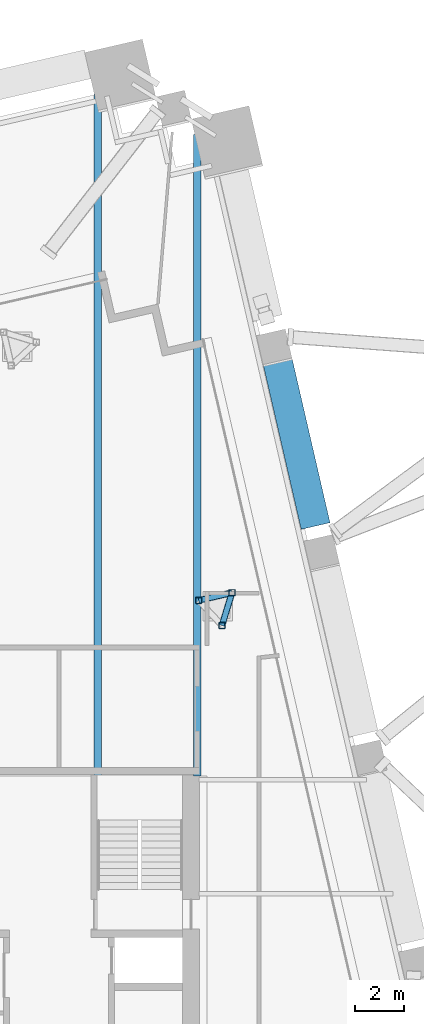
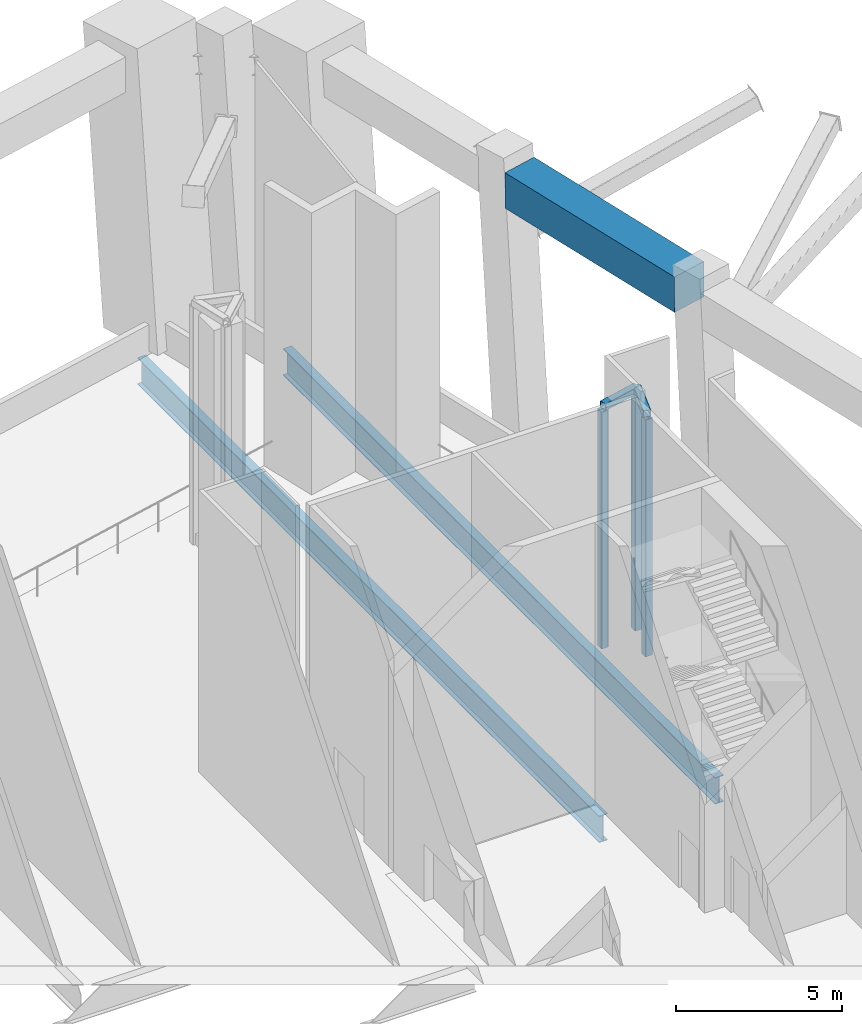
# One storey, part 11 of 25: 5 members, 3 beams.
"""IFC4 building model written with IfcOpenShell, lengths in metres."""

from ifc_helpers import new_model, si_unit, direction, frame, origin, origin_2d, place, context, subcontext, project, spatial, rectangle, hollow_rectangle, i_section, extrude, material, material_profile, profile_set, type_object, element, save


model = new_model("IFC4")

# Units and contexts
model_context = context("Model", 3, precision=1e-05, world=origin(), true_north=direction((0.0, 1.0)))
body_context = subcontext(model_context, "Body", "Model", "MODEL_VIEW")
ifc_project = project(units=[si_unit("LENGTHUNIT", "METRE"), si_unit("AREAUNIT", "SQUARE_METRE"), si_unit("VOLUMEUNIT", "CUBIC_METRE"), si_unit("PLANEANGLEUNIT", "RADIAN"), si_unit("MASSUNIT", "GRAM", prefix="KILO")], contexts=[model_context])

# Site, building, storey
site_placement = place(None, origin())
site = spatial("IfcSite", under=ifc_project, at=site_placement, CompositionType="ELEMENT")
building_placement = place(site_placement, origin())
building = spatial("IfcBuilding", under=site, at=building_placement, Name="Ogive Exchange Tower", CompositionType="ELEMENT")
storey_placement = place(building_placement, frame((0.0, 0.0, 226.199951171875)))
storey = spatial("IfcBuildingStorey", under=building, at=storey_placement, Name="L50", CompositionType="ELEMENT", Elevation=226.199951171875)

# Beams
ifc_material_1 = material(Name="Steel ASTM A992 Gr50", Category="steel")
ifc_material_profile_1 = material_profile(ifc_material_1, i_section(OverallWidth=0.300048828125, OverallDepth=0.97998046875, WebThickness=0.0166015625, FlangeThickness=0.026123046875, at=origin_2d()), Name="W1000x249")
ifc_profile_set_1 = profile_set([ifc_material_profile_1], Name="Steel ASTM A992 Gr50")
beam_type_1 = type_object("IfcBeamType", Name="Floor beam W1000x249", PredefinedType="JOIST", material=ifc_profile_set_1)
beam_1_placement = place(storey_placement, frame((17.568359375, 25.39990234375, -0.93994140625), z_axis=(0.0, 1.0, 0.0), x_axis=(-1.0, 0.0, 0.0)))
element("IfcBeam", 1, at=beam_1_placement, inside=storey, type_object=beam_type_1, Name="Floor beam", PredefinedType="JOIST", context=body_context, shape_type="SweptSolid", body=[
    extrude(i_section(OverallWidth=0.300048828125, OverallDepth=0.97998046875, WebThickness=0.0166015625, FlangeThickness=0.026123046875, at=origin_2d()), origin(), (0.0, 0.0, 1.0), 27.783447265625),
])
beam_2_placement = place(storey_placement, frame((21.60009765625, 25.39990234375, -0.93994140625), z_axis=(0.0, 1.0, 0.0), x_axis=(-1.0, 0.0, 0.0)))
element("IfcBeam", 2, at=beam_2_placement, inside=storey, type_object=beam_type_1, Name="Floor beam", PredefinedType="JOIST", context=body_context, shape_type="SweptSolid", body=[
    extrude(i_section(OverallWidth=0.300048828125, OverallDepth=0.97998046875, WebThickness=0.0166015625, FlangeThickness=0.026123046875, at=origin_2d()), origin(), (0.0, 0.0, 1.0), 25.995849609375),
])
ifc_material_2 = material(Name="Precast concrete C70/85 (limestone faced)", Category="masonry")
ifc_material_profile_2 = material_profile(ifc_material_2, rectangle(XDim=1.199951171875, YDim=1.300048828125, at=origin_2d()), Name="1200 x 1300")
ifc_profile_set_2 = profile_set([ifc_material_profile_2], Name="Precast concrete C70/85 (limestone faced)")
beam_type_2 = type_object("IfcBeamType", Name="Precast portal header beam 1200 x 1300 C70/85", PredefinedType="BEAM", material=ifc_profile_set_2)
beam_3_placement = place(storey_placement, frame((26.396484375, 35.52783203125, 9.699951171875), z_axis=(-0.224964337054, 0.974366998135, 0.0), x_axis=(-0.974366998135, -0.224964337054, 0.0)))
element("IfcBeam", 3, at=beam_3_placement, inside=storey, type_object=beam_type_2, Name="Slot header beam 14", PredefinedType="BEAM", context=body_context, shape_type="SweptSolid", body=[
    extrude(rectangle(XDim=1.199951171875, YDim=1.300048828125, at=origin_2d()), origin(), (0.0, 0.0, 1.0), 7.48388671875),
])

# Members
ifc_material_3 = material(Name="Steel ASTM A1085 Gr A", Category="steel")
ifc_material_profile_3 = material_profile(ifc_material_3, hollow_rectangle(XDim=0.25390625, YDim=0.25390625, WallThickness=0.0126953125, InnerFilletRadius=0.0126953125, OuterFilletRadius=0.025390625, at=origin_2d()), Name="HSS254x254x12.7")
ifc_profile_set_3 = profile_set([ifc_material_profile_3], Name="Steel ASTM A1085 Gr A")
member_type_1 = type_object("IfcMemberType", Name="Turbine cage mast HSS254x254x12.7", PredefinedType="POST", material=ifc_profile_set_3)
for number, where, z_axis, x_axis, name in (
    (4, (21.66015625, 32.513916015625, 0.0), (0.0, 0.0, 1.0), (1.0, 0.0, 0.0), "Turbine cage mast 05.1"),
    (5, (22.605224609375, 31.50048828125, 0.0), (0.0, 0.0, 1.0), (1.0, 0.0, 0.0), "Turbine cage mast 05.2"),
    (6, (23.01025390625, 32.82568359375, 0.0), (0.0, 0.0, 1.0), (1.0, 0.0, 0.0), "Turbine cage mast 05.3"),
):
    element("IfcMember", number, at=place(storey_placement, frame(where, z_axis=z_axis, x_axis=x_axis)), inside=storey, type_object=member_type_1, Name=name, PredefinedType="POST", context=body_context, shape_type="SweptSolid", body=[
        extrude(hollow_rectangle(XDim=0.25390625, YDim=0.25390625, WallThickness=0.0126953125, InnerFilletRadius=0.0126953125, OuterFilletRadius=0.025390625, at=origin_2d()), origin(), (0.0, 0.0, 1.0), 8.696044921875),
    ])
ifc_material_profile_4 = material_profile(ifc_material_3, hollow_rectangle(XDim=0.25390625, YDim=0.25390625, WallThickness=0.0126953125, InnerFilletRadius=0.0126953125, OuterFilletRadius=0.025390625, at=origin_2d()), Name="HSS254x254x12.7")
ifc_profile_set_4 = profile_set([ifc_material_profile_4], Name="Steel ASTM A1085 Gr A")
member_type_2 = type_object("IfcMemberType", Name="Turbine cage ring member HSS254x254x12.7", PredefinedType="BRACE", material=ifc_profile_set_4)
for number, where, z_axis, x_axis, name in (
    (7, (22.605224609375, 31.50048828125, 8.822998046875), (0.29229015249, 0.956329685181, 0.0), (-0.956329685181, 0.29229015249, 0.0), "Turbine cage ring 05.2"),
    (8, (23.01025390625, 32.82568359375, 8.822998046875), (-0.974358520042, -0.225001054267, 0.0), (0.225001054267, -0.974358520042, 0.0), "Turbine cage ring 05.3"),
):
    element("IfcMember", number, at=place(storey_placement, frame(where, z_axis=z_axis, x_axis=x_axis)), inside=storey, type_object=member_type_2, Name=name, PredefinedType="BRACE", context=body_context, shape_type="SweptSolid", body=[
        extrude(hollow_rectangle(XDim=0.25390625, YDim=0.25390625, WallThickness=0.0126953125, InnerFilletRadius=0.0126953125, OuterFilletRadius=0.025390625, at=origin_2d()), origin(), (0.0, 0.0, 1.0), 1.3857421875),
    ])

save(model, "model.ifc")
